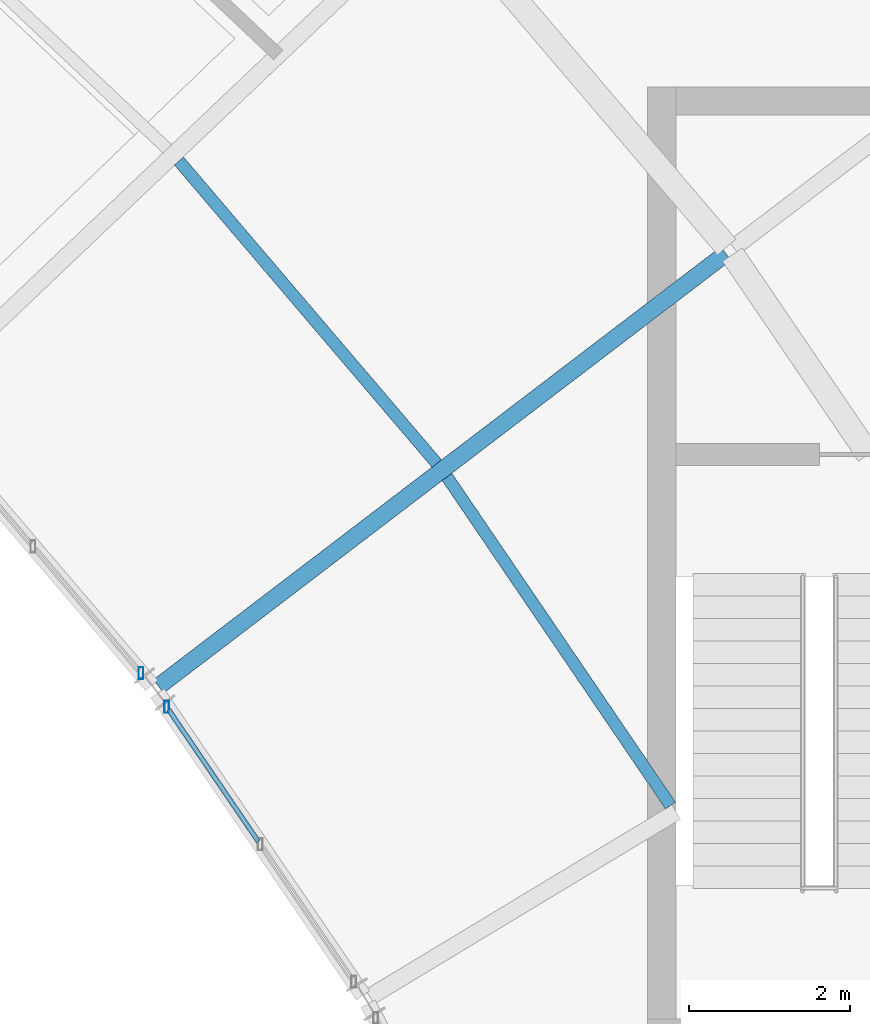
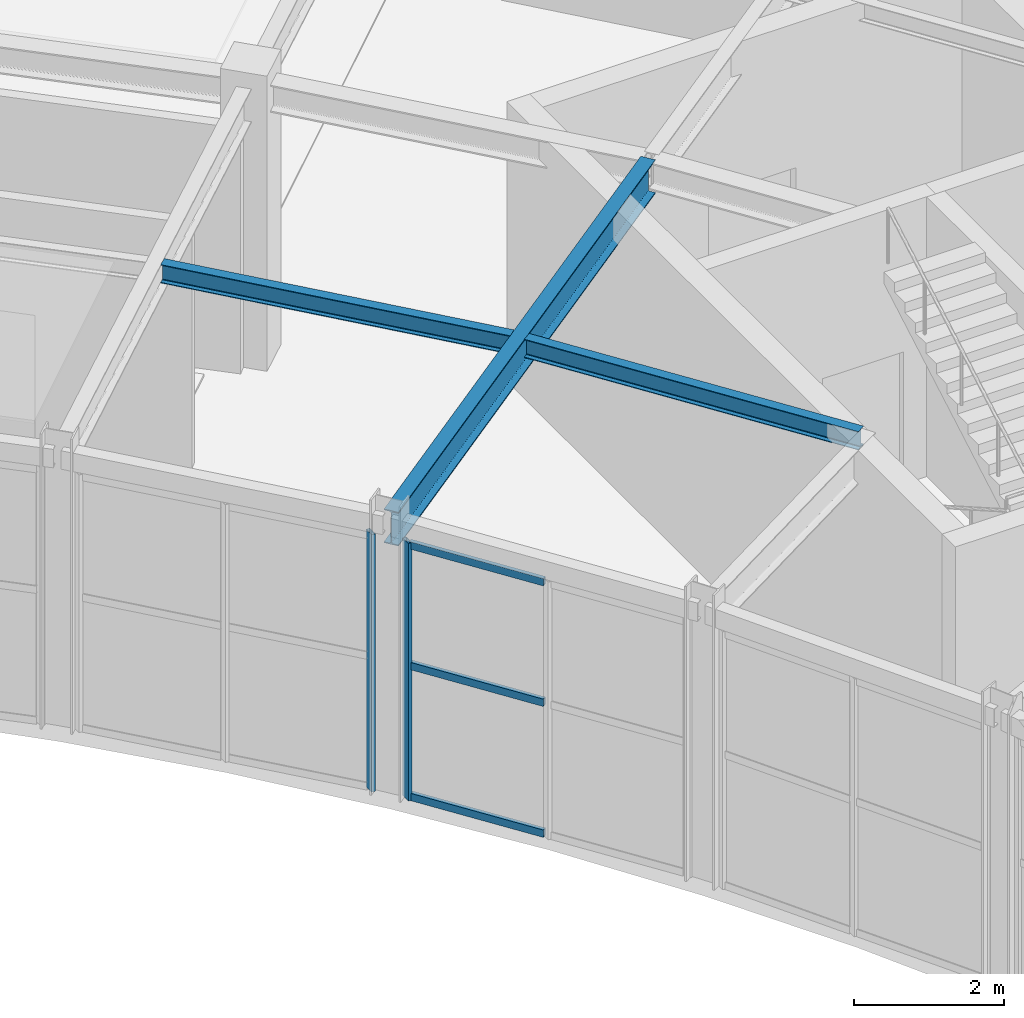
# One storey, part 76 of 108: 5 members, 3 beams, 2 elements without a shape of their own.
"""IFC4 building model written with IfcOpenShell, lengths in metres."""

import ifcopenshell
import ifcopenshell.guid

model = None  # the IFC model being written
_history = None  # IfcOwnerHistory: only IFC2X3 demands one
_inside = {}  # id of a spatial element -> (the spatial element, [elements in it])
_under = {}  # id of a project, library or spatial element -> (it, [spatial elements below it])
_declared = {}  # id of a project -> (the project, [libraries it declares])
_typed = {}  # id of a type object -> (the type object, [elements of that type])
_made_of = {}  # id of a material, layer set ... -> (it, [elements and type objects made of it])


def new_model(schema):
    """Start an empty IFC model of exactly this schema.

    Asked for "IFC4X3", IfcOpenShell would pick the latest addendum, in which some entities
    have other attributes; the version numbers below select the first issue.
    IFC2X3 requires an IfcOwnerHistory on every rooted entity: one is made here for all.
    """
    global model, _history
    if schema == "IFC4X3":
        model = ifcopenshell.file(schema_version=(4, 3, 0, 0))
    else:
        model = ifcopenshell.file(schema=schema)
    _inside.clear()
    _under.clear()
    _declared.clear()
    _typed.clear()
    _made_of.clear()
    _history = None
    if model.schema == "IFC2X3":
        org = make("IfcOrganization", Name="unknown")
        user = make(
            "IfcPersonAndOrganization",
            ThePerson=make("IfcPerson", FamilyName="unknown"),
            TheOrganization=org,
        )
        app = make(
            "IfcApplication",
            ApplicationDeveloper=org,
            Version="unknown",
            ApplicationFullName="unknown",
            ApplicationIdentifier="unknown",
        )
        _history = make(
            "IfcOwnerHistory",
            OwningUser=user,
            OwningApplication=app,
            ChangeAction="ADDED",
            CreationDate=0,
        )
    return model


def make(cls, **values):
    """One entity of the class cls with the attributes given. An attribute that is None is left unset."""
    return model.create_entity(
        cls, **{name: value for name, value in values.items() if value is not None}
    )


def rooted(cls, **values):
    """An entity with a GlobalId (a new one), such as an element, a storey or a relation."""
    return make(cls, GlobalId=ifcopenshell.guid.new(), OwnerHistory=_history, **values)


def si_unit(unit_type, name, prefix=None):
    """IfcSIUnit, for example si_unit("LENGTHUNIT", "METRE", prefix="MILLI")."""
    return make("IfcSIUnit", UnitType=unit_type, Prefix=prefix, Name=name)


def assignment(units):
    """IfcUnitAssignment: the units of a project."""
    return None if units is None else make("IfcUnitAssignment", Units=units)


def point(xyz):
    """IfcCartesianPoint."""
    return None if xyz is None else make("IfcCartesianPoint", Coordinates=xyz)


def direction(xyz):
    """IfcDirection."""
    return None if xyz is None else make("IfcDirection", DirectionRatios=xyz)


def frame(location, z_axis=None, x_axis=None):
    """IfcAxis2Placement3D, a coordinate frame: its origin and axes. An axis left out is left unset."""
    return make(
        "IfcAxis2Placement3D",
        Location=point(location),
        Axis=direction(z_axis),
        RefDirection=direction(x_axis),
    )


def frame_2d(location, x_axis=None):
    """IfcAxis2Placement2D, a coordinate frame in the plane: its origin and x axis."""
    return make(
        "IfcAxis2Placement2D", Location=point(location), RefDirection=direction(x_axis)
    )


def origin():
    """The frame at (0, 0, 0) with its axes left unset."""
    return frame((0.0, 0.0, 0.0))


def origin_2d():
    """The frame at (0, 0) in the plane with its x axis left unset."""
    return frame_2d((0.0, 0.0))


def place(relative_to, where):
    """IfcLocalPlacement: puts the frame where relative to a parent placement (None: the world)."""
    return make(
        "IfcLocalPlacement", PlacementRelTo=relative_to, RelativePlacement=where
    )


def context(
    kind, dimensions, precision=None, world=None, true_north=None, identifier=None
):
    """IfcGeometricRepresentationContext, for example the 3D "Model" context."""
    return make(
        "IfcGeometricRepresentationContext",
        ContextIdentifier=identifier,
        ContextType=kind,
        CoordinateSpaceDimension=dimensions,
        Precision=precision,
        WorldCoordinateSystem=world,
        TrueNorth=true_north,
    )


def subcontext(parent, identifier, kind, view, scale=None):
    """IfcGeometricRepresentationSubContext, for example "Body" below "Model"."""
    return make(
        "IfcGeometricRepresentationSubContext",
        ContextIdentifier=identifier,
        ContextType=kind,
        ParentContext=parent,
        TargetScale=scale,
        TargetView=view,
    )


def project(units=None, contexts=None):
    """IfcProject with its units and contexts."""
    return rooted(
        "IfcProject",
        Name="project",
        RepresentationContexts=contexts,
        UnitsInContext=assignment(units),
    )


def spatial(cls, under=None, at=None, **own):
    """A site, building, storey or space (cls), placed at a placement, below another one or the project."""
    s = rooted(cls, ObjectPlacement=at, **own)
    if under is not None:
        _under.setdefault(under.id(), (under, []))[1].append(s)
    return s


def profile(cls, at=None, kind="AREA", **sizes):
    """A parametric profile (cls). Its sizes go by their IFC names, for example OverallWidth=200.0."""
    return make(cls, ProfileType=kind, Position=at, **sizes)


def hollow_rectangle(**sizes):
    """IfcRectangleHollowProfileDef."""
    return profile("IfcRectangleHollowProfileDef", **sizes)


def i_section(**sizes):
    """IfcIShapeProfileDef."""
    return profile("IfcIShapeProfileDef", **sizes)


def extrude(swept, where, along, depth):
    """IfcExtrudedAreaSolid: the profile swept, set in the frame where, extruded along a direction by depth."""
    return make(
        "IfcExtrudedAreaSolid",
        SweptArea=swept,
        Position=where,
        ExtrudedDirection=direction(along),
        Depth=depth,
    )


def shape(context_of_items, identifier, shape_type, items):
    """IfcShapeRepresentation: the items that make up one representation, for example the "Body"."""
    return make(
        "IfcShapeRepresentation",
        ContextOfItems=context_of_items,
        RepresentationIdentifier=identifier,
        RepresentationType=shape_type,
        Items=items,
    )


def material(Name=None, Category=None):
    """IfcMaterial."""
    return make("IfcMaterial", Name=Name, Category=Category)


def material_profile(
    of_material, cross_section, Name=None, Category=None, Priority=None
):
    """IfcMaterialProfile: a cross section and its material."""
    return make(
        "IfcMaterialProfile",
        Name=Name,
        Material=of_material,
        Profile=cross_section,
        Priority=Priority,
        Category=Category,
    )


def profile_set(profiles, Name=None, composite=None):
    """IfcMaterialProfileSet."""
    return make(
        "IfcMaterialProfileSet",
        Name=Name,
        MaterialProfiles=profiles,
        CompositeProfile=composite,
    )


def made_of(thing, what):
    """Note that an element or type object is made of a material, layer set ...; save() writes the relation."""
    if what is not None:
        _made_of.setdefault(what.id(), (what, []))[1].append(thing)
    return thing


def type_object(cls, material=None, **own):
    """A type object (cls), such as IfcWallType, which elements share."""
    return made_of(rooted(cls, **own), material)


def element(
    cls,
    number,
    at=None,
    inside=None,
    cuts=None,
    type_object=None,
    material=None,
    context=None,
    identifier="Body",
    shape_type=None,
    held_by="IfcProductDefinitionShape",
    body=None,
    shapes=None,
    **own,
):
    """One element of the class cls, such as IfcWall. Its Tag is "e" and its number.

    at: its placement. inside: the storey or other place that contains it. cuts: it is an
    opening in that element (IfcRelVoidsElement). A single representation is given by context,
    identifier, shape_type and body (its items); several are given by shapes. held_by: the class
    of the entity that holds the representations. save() writes the other relations.
    """
    e = rooted(cls, Tag="e%d" % number, ObjectPlacement=at, **own)
    if body is not None:
        shapes = [shape(context, identifier, shape_type, body)]
    if shapes is not None:
        e.Representation = make(held_by, Representations=shapes)
    if inside is not None:
        _inside.setdefault(inside.id(), (inside, []))[1].append(e)
    if cuts is not None:
        rooted(
            "IfcRelVoidsElement", RelatingBuildingElement=cuts, RelatedOpeningElement=e
        )
    if type_object is not None:
        _typed.setdefault(type_object.id(), (type_object, []))[1].append(e)
    return made_of(e, material)


def aggregate(whole, parts):
    """IfcRelAggregates: a whole, such as a stair, and the parts it consists of."""
    return rooted("IfcRelAggregates", RelatingObject=whole, RelatedObjects=parts)


def save(model, path):
    """Write the relations noted so far, then the file.

    IfcRelAggregates (storeys below a building ...), IfcRelContainedInSpatialStructure (elements
    in a storey), IfcRelDefinesByType, IfcRelAssociatesMaterial and IfcRelDeclares: one each for
    every whole, place, type object, material and project.
    """
    for whole, parts in _under.values():
        aggregate(whole, parts)
    for where, things in _inside.values():
        rooted(
            "IfcRelContainedInSpatialStructure",
            RelatedElements=things,
            RelatingStructure=where,
        )
    for kind, things in _typed.values():
        rooted("IfcRelDefinesByType", RelatedObjects=things, RelatingType=kind)
    for what, things in _made_of.values():
        rooted("IfcRelAssociatesMaterial", RelatedObjects=things, RelatingMaterial=what)
    for by, libraries in _declared.values():
        rooted("IfcRelDeclares", RelatingContext=by, RelatedDefinitions=libraries)
    model.write(path)


model = new_model("IFC4")

# Units and contexts
model_context = context("Model", 3, precision=1e-05, world=origin(), true_north=direction((0.0, 1.0)))
body_context = subcontext(model_context, "Body", "Model", "MODEL_VIEW")
ifc_project = project(units=[si_unit("LENGTHUNIT", "METRE"), si_unit("AREAUNIT", "SQUARE_METRE"), si_unit("VOLUMEUNIT", "CUBIC_METRE"), si_unit("PLANEANGLEUNIT", "RADIAN"), si_unit("MASSUNIT", "GRAM", prefix="KILO")], contexts=[model_context])

# Site, building, storey
site_placement = place(None, origin())
site = spatial("IfcSite", under=ifc_project, at=site_placement, CompositionType="ELEMENT")
building_placement = place(site_placement, origin())
building = spatial("IfcBuilding", under=site, at=building_placement, Name="Tarnveldt Headland Concert Hall", CompositionType="ELEMENT")
storey_placement = place(building_placement, frame((0.0, 0.0, 9.60009765625)))
storey = spatial("IfcBuildingStorey", under=building, at=storey_placement, Name="L02", CompositionType="ELEMENT", Elevation=9.60009765625)

# Curtain wall, member
ifc_material_1 = material(Name="Marine-anodised aluminium EN AW-6063-T6", Category="aluminium")
curtain_wall_type = type_object("IfcCurtainWallType", Name="CW-C3", PredefinedType="NOTDEFINED", material=ifc_material_1)
curtain_wall_1_placement = place(storey_placement, origin())
curtain_wall_1 = element("IfcCurtainWall", 1, at=curtain_wall_1_placement, inside=storey, type_object=curtain_wall_type, Name="Curtain wall CW-L02-132", PredefinedType="NOTDEFINED")
ifc_material_profile_1 = material_profile(ifc_material_1, hollow_rectangle(XDim=0.06005859375, YDim=0.14990234375, WallThickness=0.00390625, at=origin_2d()), Name="ALU MULLION 60x150x4", Category="aluminium")
ifc_profile_set_1 = profile_set([ifc_material_profile_1], Name="Marine-anodised aluminium EN AW-6063-T6")
member_type_1 = type_object("IfcMemberType", Name="ML-150", PredefinedType="MULLION", material=ifc_profile_set_1)
member_1_placement = place(storey_placement, frame((151.839111328125, 85.8583984375, 0.0), z_axis=(0.0, 0.0, 1.0), x_axis=(1.0, 0.0, 0.0)))
member_1 = element("IfcMember", 2, at=member_1_placement, type_object=member_type_1, Name="Mullion CW-L02-132-3", PredefinedType="MULLION", context=body_context, shape_type="SweptSolid", body=[
    extrude(hollow_rectangle(XDim=0.06005859375, YDim=0.14990234375, WallThickness=0.00390625, at=origin_2d()), origin(), (0.0, 0.0, 1.0), 4.18994140625),
])

curtain_wall_2_placement = place(storey_placement, origin())
curtain_wall_2 = element("IfcCurtainWall", 3, at=curtain_wall_2_placement, inside=storey, type_object=curtain_wall_type, Name="Curtain wall CW-L02-133", PredefinedType="NOTDEFINED")
member_2_placement = place(storey_placement, frame((151.518310546875, 86.279052734375, 0.0), z_axis=(0.0, 0.0, 1.0), x_axis=(1.0, 0.0, 0.0)))
member_2 = element("IfcMember", 4, at=member_2_placement, type_object=member_type_1, Name="Mullion CW-L02-133-1", PredefinedType="MULLION", context=body_context, shape_type="SweptSolid", body=[
    extrude(hollow_rectangle(XDim=0.06005859375, YDim=0.14990234375, WallThickness=0.00390625, at=origin_2d()), origin(), (0.0, 0.0, 1.0), 4.18994140625),
])
aggregate(curtain_wall_2, [member_2])

# Beams
ifc_material_2 = material(Name="Steel S355", Category="steel")
ifc_material_profile_2 = material_profile(ifc_material_2, i_section(OverallWidth=0.14990234375, OverallDepth=0.300048828125, WebThickness=0.007080078125, FlangeThickness=0.0107421875, FilletRadius=0.014892578125, at=origin_2d()), Name="IPE300", Category="steel")
ifc_profile_set_2 = profile_set([ifc_material_profile_2], Name="Steel S355")
beam_type_1 = type_object("IfcBeamType", Name="SB-IPE300", PredefinedType="JOIST", material=ifc_profile_set_2)
beam_1_placement = place(storey_placement, frame((158.10888671875, 84.6298828125, 4.39990234375), z_axis=(-0.562388329388, 0.82687324722, 0.0), x_axis=(-0.82687324722, -0.562388329388, 0.0)))
element("IfcBeam", 5, at=beam_1_placement, inside=storey, type_object=beam_type_1, Name="Framing beam L02-1141", PredefinedType="JOIST", context=body_context, shape_type="SweptSolid", body=[
    extrude(i_section(OverallWidth=0.14990234375, OverallDepth=0.300048828125, WebThickness=0.007080078125, FlangeThickness=0.0107421875, FilletRadius=0.014892578125, at=origin_2d()), origin(), (0.0, 0.0, 1.0), 4.94580078125),
])
beam_2_placement = place(storey_placement, frame((155.2001953125, 88.88623046875, 4.39990234375), z_axis=(-0.648699496025, 0.761044652998, 0.0), x_axis=(-0.761044652998, -0.648699496025, 0.0)))
element("IfcBeam", 6, at=beam_2_placement, inside=storey, type_object=beam_type_1, Name="Framing beam L02-1148", PredefinedType="JOIST", context=body_context, shape_type="SweptSolid", body=[
    extrude(i_section(OverallWidth=0.14990234375, OverallDepth=0.300048828125, WebThickness=0.007080078125, FlangeThickness=0.0107421875, FilletRadius=0.014892578125, at=origin_2d()), origin(), (0.0, 0.0, 1.0), 4.946044921875),
])
ifc_material_profile_3 = material_profile(ifc_material_2, i_section(OverallWidth=0.2099609375, OverallDepth=0.550048828125, WebThickness=0.010986328125, FlangeThickness=0.01708984375, FilletRadius=0.02392578125, at=origin_2d()), Name="IPE550", Category="steel")
ifc_profile_set_3 = profile_set([ifc_material_profile_3], Name="Steel S355")
beam_type_2 = type_object("IfcBeamType", Name="SB-IPE550", PredefinedType="BEAM", material=ifc_profile_set_3)
beam_3_placement = place(storey_placement, frame((151.73779296875, 86.11376953125, 4.27490234375), z_axis=(0.795127420909, 0.6064424, 0.0), x_axis=(-0.6064424, 0.795127420909, 0.0)))
element("IfcBeam", 7, at=beam_3_placement, inside=storey, type_object=beam_type_2, Name="Framing beam L02-1143", PredefinedType="BEAM", context=body_context, shape_type="SweptSolid", body=[
    extrude(i_section(OverallWidth=0.2099609375, OverallDepth=0.550048828125, WebThickness=0.010986328125, FlangeThickness=0.01708984375, FilletRadius=0.02392578125, at=origin_2d()), origin(), (0.0, 0.0, 1.0), 8.880126953125),
])

# Member
ifc_material_profile_4 = material_profile(ifc_material_1, hollow_rectangle(XDim=0.06005859375, YDim=0.1201171875, WallThickness=0.00390625, at=origin_2d()), Name="ALU TRANSOM 60x120x4", Category="aluminium")
ifc_profile_set_4 = profile_set([ifc_material_profile_4], Name="Marine-anodised aluminium EN AW-6063-T6")
member_type_2 = type_object("IfcMemberType", Name="TR-110", PredefinedType="MEMBER", material=ifc_profile_set_4)
member_3_placement = place(storey_placement, frame((152.97900390625, 84.1826171875, 0.0498046875), z_axis=(-0.562454704493, 0.826828099059, 0.0), x_axis=(-0.826828099059, -0.562454704493, 0.0)))
member_3 = element("IfcMember", 8, at=member_3_placement, type_object=member_type_2, Name="Transom CW-L02-132-2-1", PredefinedType="MEMBER", context=body_context, shape_type="SweptSolid", body=[
    extrude(hollow_rectangle(XDim=0.06005859375, YDim=0.1201171875, WallThickness=0.00390625, at=origin_2d()), origin(), (0.0, 0.0, 1.0), 1.984619140625),
])

member_4_placement = place(storey_placement, frame((152.97900390625, 84.1826171875, 2.1787109375), z_axis=(-0.562454704493, 0.826828099059, 0.0), x_axis=(-0.826828099059, -0.562454704493, 0.0)))
member_4 = element("IfcMember", 9, at=member_4_placement, type_object=member_type_2, Name="Transom CW-L02-132-2-2", PredefinedType="MEMBER", context=body_context, shape_type="SweptSolid", body=[
    extrude(hollow_rectangle(XDim=0.06005859375, YDim=0.1201171875, WallThickness=0.00390625, at=origin_2d()), origin(), (0.0, 0.0, 1.0), 1.984619140625),
])

member_5_placement = place(storey_placement, frame((152.97900390625, 84.1826171875, 4.139892578125), z_axis=(-0.562454704493, 0.826828099059, 0.0), x_axis=(-0.826828099059, -0.562454704493, 0.0)))
member_5 = element("IfcMember", 10, at=member_5_placement, type_object=member_type_2, Name="Transom CW-L02-132-2-3", PredefinedType="MEMBER", context=body_context, shape_type="SweptSolid", body=[
    extrude(hollow_rectangle(XDim=0.06005859375, YDim=0.1201171875, WallThickness=0.00390625, at=origin_2d()), origin(), (0.0, 0.0, 1.0), 1.984619140625),
])

aggregate(curtain_wall_1, [member_1, member_3, member_4, member_5])

save(model, "model.ifc")
